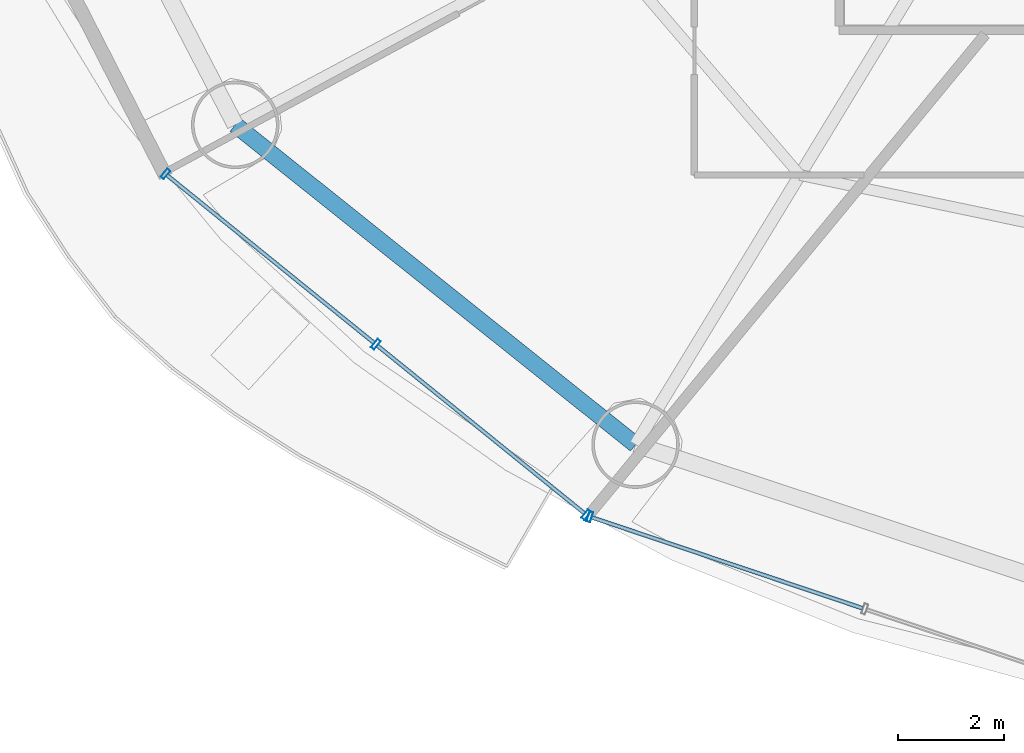
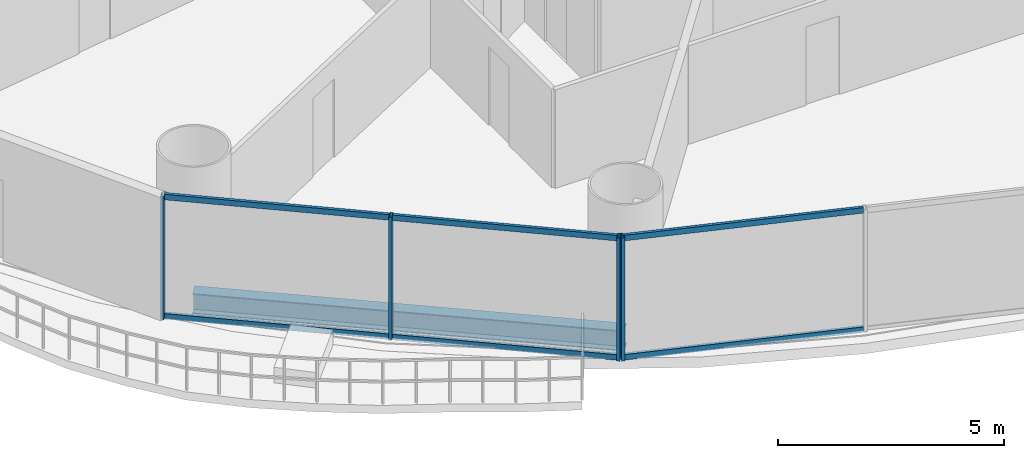
# One storey, part 2 of 28: 10 members, 1 beam, 2 elements without a shape of their own.
"""IFC4 building model written with IfcOpenShell, lengths in metres."""

from ifc_helpers import new_model, si_unit, direction, frame, origin, origin_2d, place, context, subcontext, project, spatial, hollow_rectangle, i_section, extrude, source, transform, mapped, material, material_profile, profile_set, type_object, element, aggregate, save


model = new_model("IFC4")

# Units and contexts
model_context = context("Model", 3, precision=1e-05, world=origin(), true_north=direction((-0.2419218956, 0.970295726276)))
body_context = subcontext(model_context, "Body", "Model", "MODEL_VIEW")
ifc_project = project(units=[si_unit("LENGTHUNIT", "METRE"), si_unit("AREAUNIT", "SQUARE_METRE"), si_unit("VOLUMEUNIT", "CUBIC_METRE"), si_unit("PLANEANGLEUNIT", "RADIAN"), si_unit("MASSUNIT", "GRAM", prefix="KILO")], contexts=[model_context])

# Site, building, storey
site_placement = place(None, origin())
site = spatial("IfcSite", under=ifc_project, at=site_placement, CompositionType="ELEMENT")
building_placement = place(site_placement, origin())
building = spatial("IfcBuilding", under=site, at=building_placement, Name="Cobrevalo Terracotta Tower", CompositionType="ELEMENT")
storey_placement = place(building_placement, frame((0.0, 0.0, 34.800048828125)))
storey = spatial("IfcBuildingStorey", under=building, at=storey_placement, Name="L08", CompositionType="ELEMENT", Elevation=34.800048828125)

# Beam
ifc_material_1 = material(Name="Steel S355", Category="steel")
ifc_material_profile_1 = material_profile(ifc_material_1, i_section(OverallWidth=0.31201171875, OverallDepth=0.54296875, WebThickness=0.0126953125, FlangeThickness=0.020263671875, at=origin_2d()), Name="W 530x150")
ifc_profile_set_1 = profile_set([ifc_material_profile_1], Name="Steel S355")
beam_type = type_object("IfcBeamType", Name="Structural Spandrel W 530x150 (Steel S355)", PredefinedType="SPANDREL", material=ifc_profile_set_1)
beam_placement = place(storey_placement, frame((15.25927734375, 14.660888671875, -0.551513671875), z_axis=(0.781280479891, -0.62418011162, 0.0), x_axis=(0.62418011162, 0.781280479891, 0.0)))
element("IfcBeam", 1, at=beam_placement, inside=storey, type_object=beam_type, Name="L08 perimeter ring spandrel 10", PredefinedType="SPANDREL", context=body_context, shape_type="SweptSolid", body=[
    extrude(i_section(OverallWidth=0.31201171875, OverallDepth=0.54296875, WebThickness=0.0126953125, FlangeThickness=0.020263671875, at=origin_2d()), origin(), (0.0, 0.0, 1.0), 9.658447265625),
])

# Curtain wall, members
ifc_material_2 = material(Name="Anodized aluminium", Category="aluminium")
curtain_wall_type = type_object("IfcCurtainWallType", Name="Lower-tower unitised acoustic low-E curtain wall CW-U1", PredefinedType="NOTDEFINED", material=ifc_material_2)
curtain_wall_1_placement = place(storey_placement, origin())
curtain_wall_1 = element("IfcCurtainWall", 2, at=curtain_wall_1_placement, inside=storey, type_object=curtain_wall_type, Name="L08 curtain wall CW-L08-S10", PredefinedType="NOTDEFINED")
ifc_material_profile_2 = material_profile(ifc_material_2, hollow_rectangle(XDim=0.074951171875, YDim=0.199951171875, WallThickness=0.0048828125, at=origin_2d()), Name="CWM 75x200")
ifc_profile_set_2 = profile_set([ifc_material_profile_2], Name="Anodized aluminium")
member_type_1 = type_object("IfcMemberType", Name="Lower/mid tower unitised mullion 75x200", PredefinedType="MULLION", material=ifc_profile_set_2)
shared_shape_1 = source(origin(), body_context, "Body", "SweptSolid", [
    extrude(hollow_rectangle(XDim=0.074951171875, YDim=0.199951171875, WallThickness=0.0048828125, at=origin_2d()), origin(), (0.0, 0.0, 1.0), 3.320068359375),
])
member_1_placement = place(storey_placement, frame((13.943359375, 13.735595703125, 0.0), z_axis=(0.0, 0.0, 1.0), x_axis=(0.777003153187, -0.629496703675, 0.0)))
member_1 = element("IfcMember", 3, at=member_1_placement, type_object=member_type_1, Name="CW-L08-S10 vertical mullion 01", PredefinedType="MULLION", context=body_context, shape_type="MappedRepresentation", body=[
    mapped(shared_shape_1, transform((0.0, 0.0, 0.0), scale=1.0)),
])
member_2_placement = place(storey_placement, frame((17.90869140625, 10.523193359375, 0.0), z_axis=(0.0, 0.0, 1.0), x_axis=(0.777003153187, -0.629496703675, 0.0)))
member_2 = element("IfcMember", 4, at=member_2_placement, type_object=member_type_1, Name="CW-L08-S10 vertical mullion 02", PredefinedType="MULLION", context=body_context, shape_type="MappedRepresentation", body=[
    mapped(shared_shape_1, transform((0.0, 0.0, 0.0), scale=1.0)),
])
member_3_placement = place(storey_placement, frame((21.8740234375, 7.310546875, 0.0), z_axis=(0.0, 0.0, 1.0), x_axis=(0.777003153187, -0.629496703675, 0.0)))
member_3 = element("IfcMember", 5, at=member_3_placement, type_object=member_type_1, Name="CW-L08-S10 vertical mullion 03", PredefinedType="MULLION", context=body_context, shape_type="MappedRepresentation", body=[
    mapped(shared_shape_1, transform((0.0, 0.0, 0.0), scale=1.0)),
])

# Curtain wall, member
curtain_wall_2_placement = place(storey_placement, origin())
curtain_wall_2 = element("IfcCurtainWall", 6, at=curtain_wall_2_placement, inside=storey, type_object=curtain_wall_type, Name="L08 curtain wall CW-L08-S11", PredefinedType="NOTDEFINED")
member_4_placement = place(storey_placement, frame((21.943115234375, 7.272705078125, 0.0), z_axis=(0.0, 0.0, 1.0), x_axis=(0.948046393597, -0.318132103987, 0.0)))
member_4 = element("IfcMember", 7, at=member_4_placement, type_object=member_type_1, Name="CW-L08-S11 vertical mullion 01", PredefinedType="MULLION", context=body_context, shape_type="MappedRepresentation", body=[
    mapped(shared_shape_1, transform((0.0, 0.0, 0.0), scale=1.0)),
])

# Member
ifc_material_profile_3 = material_profile(ifc_material_2, hollow_rectangle(XDim=0.074951171875, YDim=0.14990234375, WallThickness=0.00439453125, at=origin_2d()), Name="CWT 75x150")
ifc_profile_set_3 = profile_set([ifc_material_profile_3], Name="Anodized aluminium")
member_type_2 = type_object("IfcMemberType", Name="Tower unitised aluminium transom 75x150", PredefinedType="USERDEFINED", material=ifc_profile_set_3)
shared_shape_2 = source(origin(), body_context, "Body", "SweptSolid", [
    extrude(hollow_rectangle(XDim=0.074951171875, YDim=0.14990234375, WallThickness=0.00439453125, at=origin_2d()), origin(), (0.0, 0.0, 1.0), 5.0234375),
])
member_5_placement = place(storey_placement, frame((13.974365234375, 13.71044921875, 0.050048828125), z_axis=(0.777022991593, -0.629472215857, 0.0), x_axis=(0.629472215857, 0.777022991593, 0.0)))
member_5 = element("IfcMember", 8, at=member_5_placement, type_object=member_type_2, Name="CW-L08-S10 transom B01-T1", ObjectType="TRANSOM", PredefinedType="USERDEFINED", context=body_context, shape_type="MappedRepresentation", body=[
    mapped(shared_shape_2, transform((0.0, 0.0, 0.0), scale=1.0)),
])

member_6_placement = place(storey_placement, frame((13.974365234375, 13.71044921875, 3.27001953125), z_axis=(0.777022991593, -0.629472215857, 0.0), x_axis=(0.629472215857, 0.777022991593, 0.0)))
member_6 = element("IfcMember", 9, at=member_6_placement, type_object=member_type_2, Name="CW-L08-S10 transom B01-T2", ObjectType="TRANSOM", PredefinedType="USERDEFINED", context=body_context, shape_type="MappedRepresentation", body=[
    mapped(shared_shape_2, transform((0.0, 0.0, 0.0), scale=1.0)),
])

member_7_placement = place(storey_placement, frame((17.939697265625, 10.497802734375, 0.050048828125), z_axis=(0.777022991593, -0.629472215857, 0.0), x_axis=(0.629472215857, 0.777022991593, 0.0)))
member_7 = element("IfcMember", 10, at=member_7_placement, type_object=member_type_2, Name="CW-L08-S10 transom B02-T1", ObjectType="TRANSOM", PredefinedType="USERDEFINED", context=body_context, shape_type="MappedRepresentation", body=[
    mapped(shared_shape_2, transform((0.0, 0.0, 0.0), scale=1.0)),
])

member_8_placement = place(storey_placement, frame((17.939697265625, 10.497802734375, 3.27001953125), z_axis=(0.777022991593, -0.629472215857, 0.0), x_axis=(0.629472215857, 0.777022991593, 0.0)))
member_8 = element("IfcMember", 11, at=member_8_placement, type_object=member_type_2, Name="CW-L08-S10 transom B02-T2", ObjectType="TRANSOM", PredefinedType="USERDEFINED", context=body_context, shape_type="MappedRepresentation", body=[
    mapped(shared_shape_2, transform((0.0, 0.0, 0.0), scale=1.0)),
])

aggregate(curtain_wall_1, [member_1, member_2, member_3, member_5, member_6, member_7, member_8])

shared_shape_3 = source(origin(), body_context, "Body", "SweptSolid", [
    extrude(hollow_rectangle(XDim=0.074951171875, YDim=0.14990234375, WallThickness=0.00439453125, at=origin_2d()), origin(), (0.0, 0.0, 1.0), 5.387939453125),
])
member_9_placement = place(storey_placement, frame((21.98095703125, 7.260009765625, 0.050048828125), z_axis=(0.94804244582, -0.318143868278, 0.0), x_axis=(0.318143868278, 0.94804244582, 0.0)))
member_9 = element("IfcMember", 12, at=member_9_placement, type_object=member_type_2, Name="CW-L08-S11 transom B01-T1", ObjectType="TRANSOM", PredefinedType="USERDEFINED", context=body_context, shape_type="MappedRepresentation", body=[
    mapped(shared_shape_3, transform((0.0, 0.0, 0.0), scale=1.0)),
])

member_10_placement = place(storey_placement, frame((21.98095703125, 7.260009765625, 3.27001953125), z_axis=(0.94804244582, -0.318143868278, 0.0), x_axis=(0.318143868278, 0.94804244582, 0.0)))
member_10 = element("IfcMember", 13, at=member_10_placement, type_object=member_type_2, Name="CW-L08-S11 transom B01-T2", ObjectType="TRANSOM", PredefinedType="USERDEFINED", context=body_context, shape_type="MappedRepresentation", body=[
    mapped(shared_shape_3, transform((0.0, 0.0, 0.0), scale=1.0)),
])

aggregate(curtain_wall_2, [member_4, member_9, member_10])

save(model, "model.ifc")
